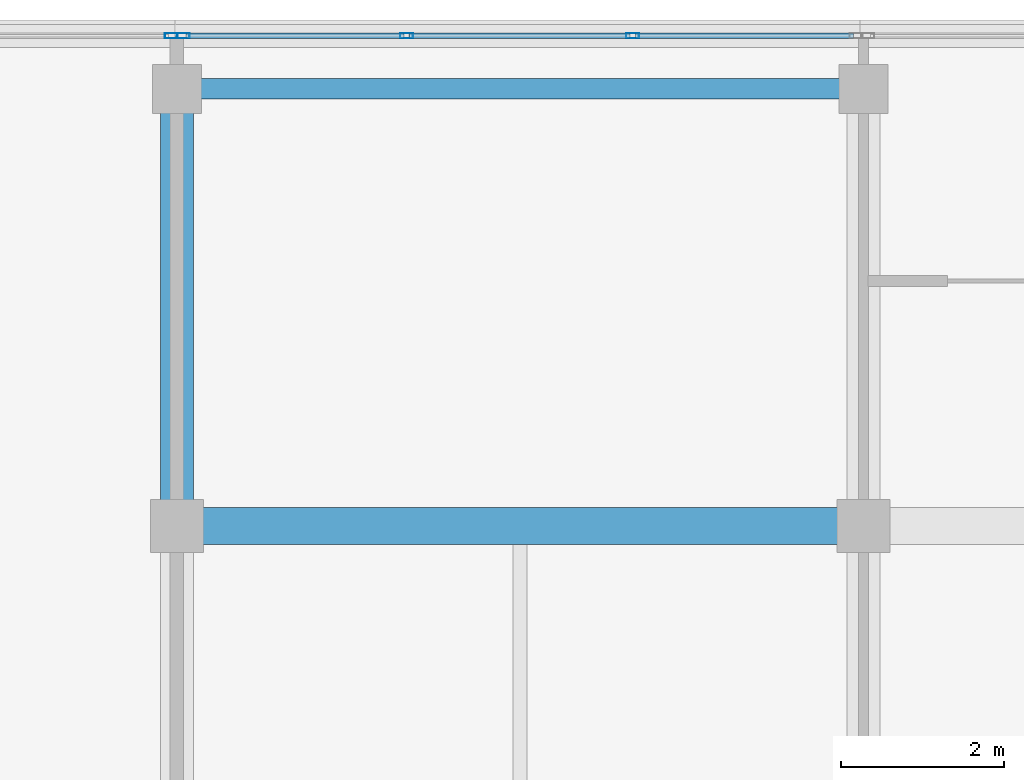
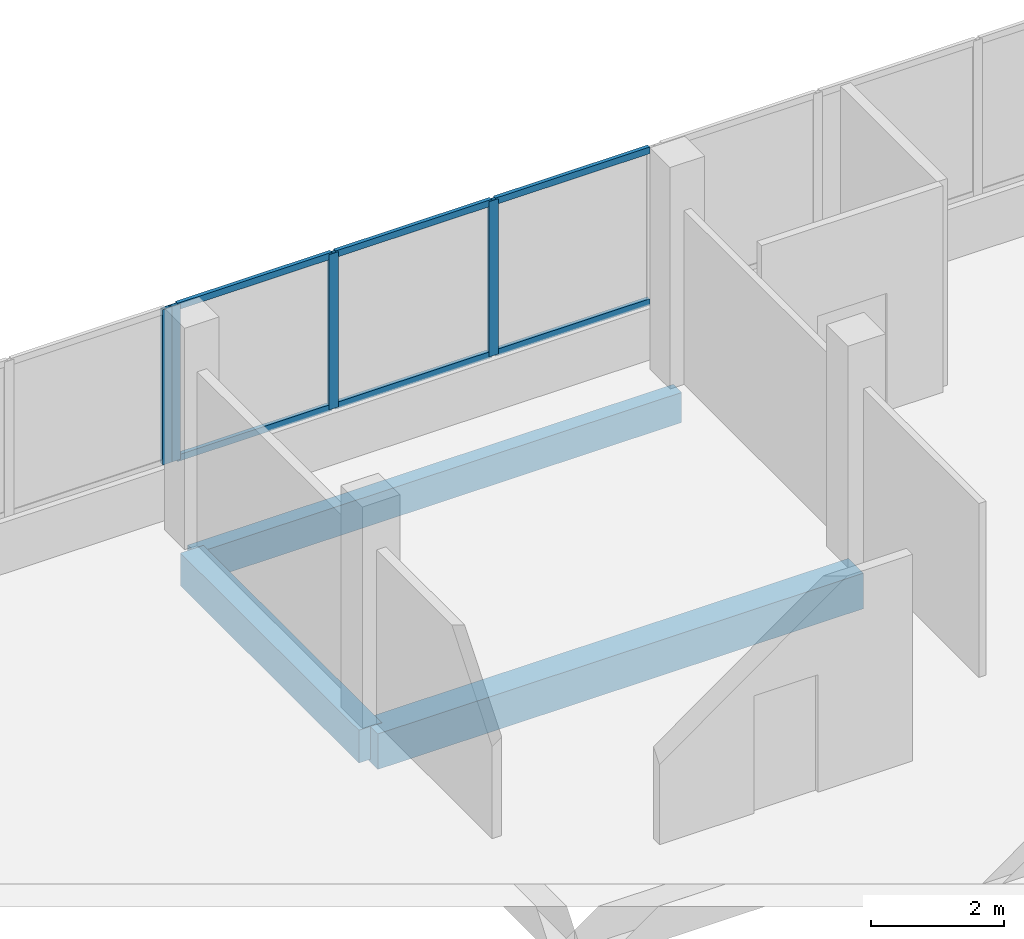
# One storey, part 19 of 76: 10 members, 3 beams, 2 elements without a shape of their own.
"""IFC4 building model written with IfcOpenShell, lengths in metres."""

from ifc_helpers import new_model, si_unit, direction, frame, origin, origin_2d, place, context, subcontext, project, spatial, rectangle, hollow_rectangle, extrude, material, material_profile, profile_set, type_object, element, aggregate, save


model = new_model("IFC4")

# Units and contexts
model_context = context("Model", 3, precision=1e-05, world=origin(), true_north=direction((0.0, 1.0)))
body_context = subcontext(model_context, "Body", "Model", "MODEL_VIEW")
ifc_project = project(units=[si_unit("LENGTHUNIT", "METRE"), si_unit("AREAUNIT", "SQUARE_METRE"), si_unit("VOLUMEUNIT", "CUBIC_METRE"), si_unit("PLANEANGLEUNIT", "RADIAN"), si_unit("MASSUNIT", "GRAM", prefix="KILO")], contexts=[model_context])

# Site, building, storey
site_placement = place(None, origin())
site = spatial("IfcSite", under=ifc_project, at=site_placement, CompositionType="ELEMENT")
building_placement = place(site_placement, origin())
building = spatial("IfcBuilding", under=site, at=building_placement, Name="Selatvlak General Hospital", CompositionType="ELEMENT")
storey_placement = place(building_placement, frame((0.0, 0.0, 27.300048828125)))
storey = spatial("IfcBuildingStorey", under=building, at=storey_placement, Name="L06", CompositionType="ELEMENT", Elevation=27.300048828125)

# Beams
ifc_material_1 = material(Name="Concrete C40/50", Category="concrete")
ifc_material_profile_1 = material_profile(ifc_material_1, rectangle(XDim=0.449951171875, YDim=0.64990234375, at=origin_2d()), Name="RC-BM 450x650")
ifc_profile_set_1 = profile_set([ifc_material_profile_1], Name="Concrete C40/50")
beam_type_1 = type_object("IfcBeamType", Name="BM-G04", PredefinedType="BEAM", material=ifc_profile_set_1)
beam_1_placement = place(storey_placement, frame((31.199951171875, 114.0, -0.60009765625), z_axis=(1.0, 0.0, 0.0), x_axis=(0.0, 1.0, 0.0)))
element("IfcBeam", 1, at=beam_1_placement, inside=storey, type_object=beam_type_1, Name="Beam BMR-L06-2218", PredefinedType="BEAM", context=body_context, shape_type="SweptSolid", body=[
    extrude(rectangle(XDim=0.449951171875, YDim=0.64990234375, at=origin_2d()), origin(), (0.0, 0.0, 1.0), 8.400146484375),
])
ifc_material_profile_2 = material_profile(ifc_material_1, rectangle(XDim=0.39990234375, YDim=0.60009765625, at=origin_2d()), Name="RC-BM 400x600")
ifc_profile_set_2 = profile_set([ifc_material_profile_2], Name="Concrete C40/50")
beam_type_2 = type_object("IfcBeamType", Name="BM-G05", PredefinedType="BEAM", material=ifc_profile_set_2)
beam_2_placement = place(storey_placement, frame((31.199951171875, 114.0, -0.574951171875), z_axis=(0.0, 1.0, 0.0), x_axis=(-1.0, 0.0, 0.0)))
element("IfcBeam", 2, at=beam_2_placement, inside=storey, type_object=beam_type_2, Name="Beam BMR-L06-2249", PredefinedType="BEAM", context=body_context, shape_type="SweptSolid", body=[
    extrude(rectangle(XDim=0.39990234375, YDim=0.60009765625, at=origin_2d()), origin(), (0.0, 0.0, 1.0), 5.35009765625),
])
ifc_material_profile_3 = material_profile(ifc_material_1, rectangle(XDim=0.25, YDim=0.550048828125, at=origin_2d()), Name="RC-SP 250x550")
ifc_profile_set_3 = profile_set([ifc_material_profile_3], Name="Concrete C40/50")
beam_type_3 = type_object("IfcBeamType", Name="BM-SP2", PredefinedType="SPANDREL", material=ifc_profile_set_3)
beam_3_placement = place(storey_placement, frame((31.199951171875, 119.35009765625, -0.550048828125), z_axis=(1.0, 0.0, 0.0), x_axis=(0.0, 1.0, 0.0)))
element("IfcBeam", 3, at=beam_3_placement, inside=storey, type_object=beam_type_3, Name="Beam BMR-L06-2232", PredefinedType="SPANDREL", context=body_context, shape_type="SweptSolid", body=[
    extrude(rectangle(XDim=0.25, YDim=0.550048828125, at=origin_2d()), origin(), (0.0, 0.0, 1.0), 8.400146484375),
])

# Curtain wall, member
ifc_material_2 = material(Name="Solar-control Low-E double glazing", Category="glass")
curtain_wall_type_1 = type_object("IfcCurtainWallType", Name="CW-CW-02", PredefinedType="USERDEFINED", material=ifc_material_2)
curtain_wall_1_placement = place(storey_placement, origin())
curtain_wall_1 = element("IfcCurtainWall", 4, at=curtain_wall_1_placement, inside=storey, type_object=curtain_wall_type_1, Name="Glazed facade curtain wall CW-L06-0598", ObjectType="UNITISED CURTAIN WALL", PredefinedType="USERDEFINED")
ifc_material_3 = material(Name="Dark anodised aluminium mullion", Category="aluminium")
ifc_material_profile_4 = material_profile(ifc_material_3, hollow_rectangle(XDim=0.06494140625, YDim=0.159912109375, WallThickness=0.00390625, at=origin_2d()), Name="AL-MUL 65x160x4")
ifc_profile_set_4 = profile_set([ifc_material_profile_4], Name="Dark anodised aluminium mullion")
member_type_1 = type_object("IfcMemberType", Name="CWM-01", PredefinedType="MULLION", material=ifc_profile_set_4)
member_1_placement = place(storey_placement, frame((31.131591796875, 119.9990234375, 0.93994140625), z_axis=(0.0, 0.0, 1.0), x_axis=(0.0, 1.0, 0.0)))
member_1 = element("IfcMember", 5, at=member_1_placement, type_object=member_type_1, Name="CW-02 mullion 4", PredefinedType="MULLION", context=body_context, shape_type="SweptSolid", body=[
    extrude(hollow_rectangle(XDim=0.06494140625, YDim=0.159912109375, WallThickness=0.00390625, at=origin_2d()), origin(), (0.0, 0.0, 1.0), 2.840087890625),
])
aggregate(curtain_wall_1, [member_1])

# Curtain wall, members
curtain_wall_type_2 = type_object("IfcCurtainWallType", Name="CW-CW-01", PredefinedType="USERDEFINED", material=ifc_material_2)
curtain_wall_2_placement = place(storey_placement, origin())
curtain_wall_2 = element("IfcCurtainWall", 6, at=curtain_wall_2_placement, inside=storey, type_object=curtain_wall_type_2, Name="Glazed facade curtain wall CW-L06-0599", ObjectType="UNITISED CURTAIN WALL", PredefinedType="USERDEFINED")
member_2_placement = place(storey_placement, frame((31.276611328125, 119.9990234375, 0.93994140625), z_axis=(0.0, 0.0, 1.0), x_axis=(0.0, 1.0, 0.0)))
member_2 = element("IfcMember", 7, at=member_2_placement, type_object=member_type_1, Name="CW-01 mullion 1", PredefinedType="MULLION", context=body_context, shape_type="SweptSolid", body=[
    extrude(hollow_rectangle(XDim=0.06494140625, YDim=0.159912109375, WallThickness=0.00390625, at=origin_2d()), origin(), (0.0, 0.0, 1.0), 2.840087890625),
])
member_3_placement = place(storey_placement, frame((34.01025390625, 119.9990234375, 0.93994140625), z_axis=(0.0, 0.0, 1.0), x_axis=(0.0, 1.0, 0.0)))
member_3 = element("IfcMember", 8, at=member_3_placement, type_object=member_type_1, Name="CW-01 mullion 2", PredefinedType="MULLION", context=body_context, shape_type="SweptSolid", body=[
    extrude(hollow_rectangle(XDim=0.06494140625, YDim=0.159912109375, WallThickness=0.00390625, at=origin_2d()), origin(), (0.0, 0.0, 1.0), 2.840087890625),
])
member_4_placement = place(storey_placement, frame((36.776611328125, 119.9990234375, 0.93994140625), z_axis=(0.0, 0.0, 1.0), x_axis=(0.0, 1.0, 0.0)))
member_4 = element("IfcMember", 9, at=member_4_placement, type_object=member_type_1, Name="CW-01 mullion 3", PredefinedType="MULLION", context=body_context, shape_type="SweptSolid", body=[
    extrude(hollow_rectangle(XDim=0.06494140625, YDim=0.159912109375, WallThickness=0.00390625, at=origin_2d()), origin(), (0.0, 0.0, 1.0), 2.840087890625),
])
ifc_material_profile_5 = material_profile(ifc_material_3, hollow_rectangle(XDim=0.06494140625, YDim=0.1201171875, WallThickness=0.00390625, at=origin_2d()), Name="AL-TRN 65x120x4")
ifc_profile_set_5 = profile_set([ifc_material_profile_5], Name="Dark anodised aluminium mullion")
member_type_2 = type_object("IfcMemberType", Name="CWT-01", PredefinedType="USERDEFINED", material=ifc_profile_set_5)
member_5_placement = place(storey_placement, frame((31.30908203125, 119.9990234375, 0.972412109375), z_axis=(1.0, 0.0, 0.0), x_axis=(0.0, 1.0, 0.0)))
member_5 = element("IfcMember", 10, at=member_5_placement, type_object=member_type_2, Name="CW-01 transom 1.1", ObjectType="TRANSOM", PredefinedType="USERDEFINED", context=body_context, shape_type="SweptSolid", body=[
    extrude(hollow_rectangle(XDim=0.06494140625, YDim=0.1201171875, WallThickness=0.00390625, at=origin_2d()), origin(), (0.0, 0.0, 1.0), 2.668701171875),
])
member_6_placement = place(storey_placement, frame((31.30908203125, 119.9990234375, 3.74755859375), z_axis=(1.0, 0.0, 0.0), x_axis=(0.0, 1.0, 0.0)))
member_6 = element("IfcMember", 11, at=member_6_placement, type_object=member_type_2, Name="CW-01 transom 1.2", ObjectType="TRANSOM", PredefinedType="USERDEFINED", context=body_context, shape_type="SweptSolid", body=[
    extrude(hollow_rectangle(XDim=0.06494140625, YDim=0.1201171875, WallThickness=0.00390625, at=origin_2d()), origin(), (0.0, 0.0, 1.0), 2.668701171875),
])
member_7_placement = place(storey_placement, frame((34.042724609375, 119.9990234375, 0.972412109375), z_axis=(1.0, 0.0, 0.0), x_axis=(0.0, 1.0, 0.0)))
member_7 = element("IfcMember", 12, at=member_7_placement, type_object=member_type_2, Name="CW-01 transom 2.1", ObjectType="TRANSOM", PredefinedType="USERDEFINED", context=body_context, shape_type="SweptSolid", body=[
    extrude(hollow_rectangle(XDim=0.06494140625, YDim=0.1201171875, WallThickness=0.00390625, at=origin_2d()), origin(), (0.0, 0.0, 1.0), 2.701416015625),
])
member_8_placement = place(storey_placement, frame((34.042724609375, 119.9990234375, 3.74755859375), z_axis=(1.0, 0.0, 0.0), x_axis=(0.0, 1.0, 0.0)))
member_8 = element("IfcMember", 13, at=member_8_placement, type_object=member_type_2, Name="CW-01 transom 2.2", ObjectType="TRANSOM", PredefinedType="USERDEFINED", context=body_context, shape_type="SweptSolid", body=[
    extrude(hollow_rectangle(XDim=0.06494140625, YDim=0.1201171875, WallThickness=0.00390625, at=origin_2d()), origin(), (0.0, 0.0, 1.0), 2.701416015625),
])
member_9_placement = place(storey_placement, frame((36.80908203125, 119.9990234375, 0.972412109375), z_axis=(1.0, 0.0, 0.0), x_axis=(0.0, 1.0, 0.0)))
member_9 = element("IfcMember", 14, at=member_9_placement, type_object=member_type_2, Name="CW-01 transom 3.1", ObjectType="TRANSOM", PredefinedType="USERDEFINED", context=body_context, shape_type="SweptSolid", body=[
    extrude(hollow_rectangle(XDim=0.06494140625, YDim=0.1201171875, WallThickness=0.00390625, at=origin_2d()), origin(), (0.0, 0.0, 1.0), 2.6689453125),
])
member_10_placement = place(storey_placement, frame((36.80908203125, 119.9990234375, 3.74755859375), z_axis=(1.0, 0.0, 0.0), x_axis=(0.0, 1.0, 0.0)))
member_10 = element("IfcMember", 15, at=member_10_placement, type_object=member_type_2, Name="CW-01 transom 3.2", ObjectType="TRANSOM", PredefinedType="USERDEFINED", context=body_context, shape_type="SweptSolid", body=[
    extrude(hollow_rectangle(XDim=0.06494140625, YDim=0.1201171875, WallThickness=0.00390625, at=origin_2d()), origin(), (0.0, 0.0, 1.0), 2.6689453125),
])
aggregate(curtain_wall_2, [member_2, member_3, member_4, member_5, member_6, member_7, member_8, member_9, member_10])

save(model, "model.ifc")
